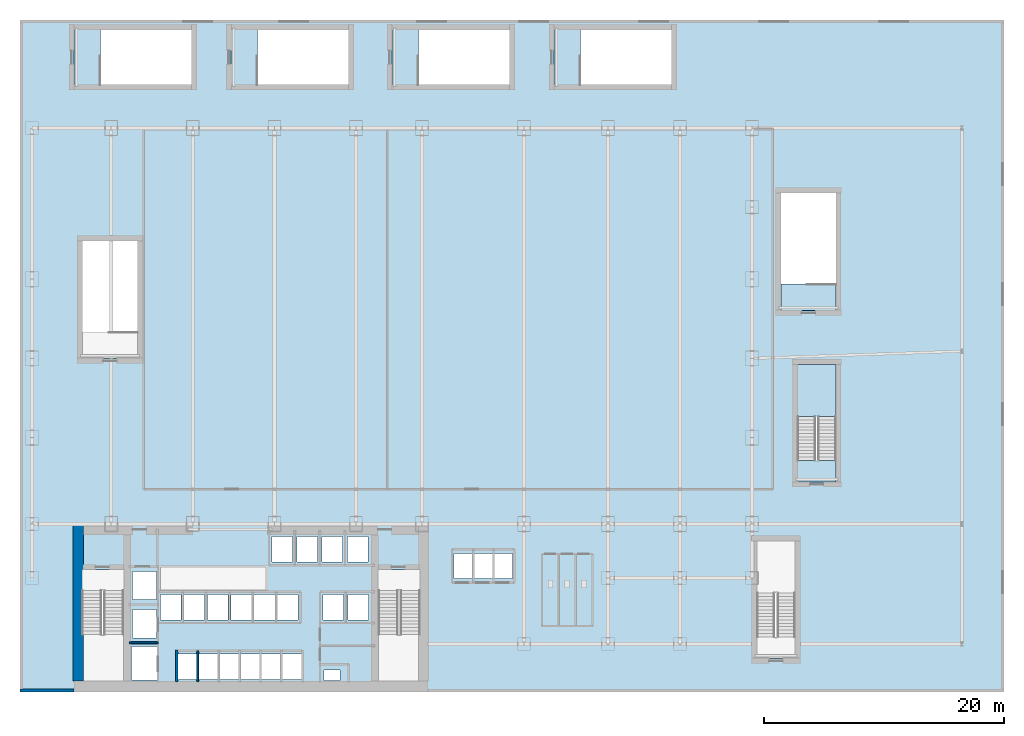
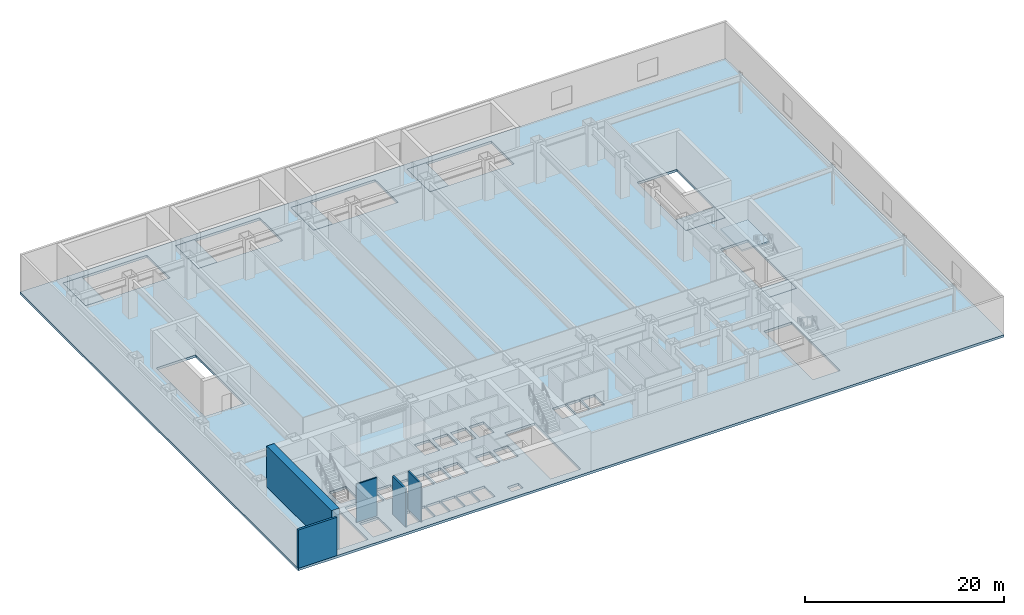
# One storey, part 5 of 14: 8 slabs, 5 walls, 1 element without a shape of its own.
"""IFC4 building model written with IfcOpenShell, lengths in metres."""

from ifc_helpers import new_model, si_unit, derived_unit, direction, frame, frame_2d, origin, place, context, subcontext, project, spatial, polyline, rectangle, outline, extrude, source, transform, mapped, material, layer, layer_set, type_object, element, aggregate, save


model = new_model("IFC4")

# Units and contexts
model_context = context("Model", 3, precision=1e-05, world=origin(), true_north=direction((0.0, 1.0)))
body_context = subcontext(model_context, "Body", "Model", "MODEL_VIEW")
ifc_project = project(units=[si_unit("LENGTHUNIT", "METRE"), si_unit("AREAUNIT", "SQUARE_METRE"), si_unit("VOLUMEUNIT", "CUBIC_METRE"), si_unit("PLANEANGLEUNIT", "RADIAN"), si_unit("MASSUNIT", "GRAM", prefix="KILO"), derived_unit("THERMALTRANSMITTANCEUNIT", [(si_unit("POWERUNIT", "WATT"), 1), (si_unit("LENGTHUNIT", "METRE"), -2), (si_unit("THERMODYNAMICTEMPERATUREUNIT", "KELVIN"), -1)])], contexts=[model_context])

# Site, building, storey
site_placement = place(None, origin())
site = spatial("IfcSite", under=ifc_project, at=site_placement, CompositionType="ELEMENT")
building_placement = place(site_placement, origin())
building = spatial("IfcBuilding", under=site, at=building_placement, Name="Skarnbrae Concourse Arena and Tower", CompositionType="ELEMENT")
storey_placement = place(building_placement, frame((0.0, 0.0, 21.0)))
storey = spatial("IfcBuildingStorey", under=building, at=storey_placement, Name="L04", CompositionType="ELEMENT", Elevation=21.0)

# Slab
ifc_material_1 = material(Name="Concrete 40 MPa (C40/50)", Category="concrete")
ifc_layer_1 = layer(ifc_material_1, 0.199951171875)
ifc_layer_set_1 = layer_set([ifc_layer_1], Name="Concrete 40 MPa (C40/50)")
slab_type_1 = type_object("IfcSlabType", Name="SLAB-LANDING-200", PredefinedType="LANDING", material=ifc_layer_set_1)
slab_1_placement = place(storey_placement, frame((0.0, 0.0, -0.199951171875)))
element("IfcSlab", 1, at=slab_1_placement, inside=storey, type_object=slab_type_1, Name="L04 Stair ST-A2 near floor landing", PredefinedType="LANDING", context=body_context, shape_type="SweptSolid", body=[
    extrude(outline(polyline([(68.0, 17.5), (68.0, 19.300048828125), (64.800048828125, 19.300048828125), (64.800048828125, 17.5), (68.0, 17.5)])), origin(), (0.0, 0.0, 1.0), 0.199951171875),
])

# Stair, slab
stair_type = type_object("IfcStairType", Name="STAIR-DOGLEG-1500", PredefinedType="HALF_TURN_STAIR", material=ifc_material_1)
stair_placement = place(storey_placement, origin())
stair = element("IfcStair", 2, at=stair_placement, inside=storey, type_object=stair_type, Name="L04 Arena Exit Stair ST-A2", PredefinedType="HALF_TURN_STAIR")
slab_2_placement = place(storey_placement, frame((0.0, 0.0, 2.300048828125)))
slab_2 = element("IfcSlab", 3, at=slab_2_placement, type_object=slab_type_1, Name="ST-A2 landing 1", PredefinedType="LANDING", context=body_context, shape_type="SweptSolid", body=[
    extrude(outline(polyline([(68.0, 22.93994140625), (68.0, 27.300048828125), (64.800048828125, 27.300048828125), (64.800048828125, 22.93994140625), (68.0, 22.93994140625)])), origin(), (0.0, 0.0, 1.0), 0.199951171875),
])
aggregate(stair, [slab_2])

# Slabs
slab_3_placement = place(storey_placement, frame((0.0, 0.0, -0.199951171875)))
element("IfcSlab", 4, at=slab_3_placement, inside=storey, type_object=slab_type_1, Name="L04 Stair ST-A4 near floor landing", PredefinedType="LANDING", context=body_context, shape_type="SweptSolid", body=[
    extrude(outline(polyline([(68.0, 31.800048828125), (68.0, 34.0), (63.39990234375, 34.0), (63.39990234375, 31.800048828125), (68.0, 31.800048828125)])), origin(), (0.0, 0.0, 1.0), 0.199951171875),
])
slab_4_placement = place(storey_placement, frame((0.0, 0.0, -0.199951171875)))
element("IfcSlab", 5, at=slab_4_placement, inside=storey, type_object=slab_type_1, Name="L04 Stair ST-A5 near floor landing", PredefinedType="LANDING", context=body_context, shape_type="SweptSolid", body=[
    extrude(outline(polyline([(4.5, 50.60009765625), (6.699951171875, 50.60009765625), (6.699951171875, 55.199951171875), (4.5, 55.199951171875), (4.5, 50.60009765625)])), origin(), (0.0, 0.0, 1.0), 0.199951171875),
])
slab_5_placement = place(storey_placement, frame((0.0, 0.0, -0.199951171875)))
element("IfcSlab", 6, at=slab_5_placement, inside=storey, type_object=slab_type_1, Name="L04 Stair ST-A6 near floor landing", PredefinedType="LANDING", context=body_context, shape_type="SweptSolid", body=[
    extrude(outline(polyline([(17.60009765625, 50.60009765625), (19.800048828125, 50.60009765625), (19.800048828125, 55.199951171875), (17.60009765625, 55.199951171875), (17.60009765625, 50.60009765625)])), origin(), (0.0, 0.0, 1.0), 0.199951171875),
])
slab_6_placement = place(storey_placement, frame((0.0, 0.0, -0.199951171875)))
element("IfcSlab", 7, at=slab_6_placement, inside=storey, type_object=slab_type_1, Name="L04 Stair ST-A7 near floor landing", PredefinedType="LANDING", context=body_context, shape_type="SweptSolid", body=[
    extrude(outline(polyline([(31.0, 50.60009765625), (33.199951171875, 50.60009765625), (33.199951171875, 55.199951171875), (31.0, 55.199951171875), (31.0, 50.60009765625)])), origin(), (0.0, 0.0, 1.0), 0.199951171875),
])
slab_7_placement = place(storey_placement, frame((0.0, 0.0, -0.199951171875)))
element("IfcSlab", 8, at=slab_7_placement, inside=storey, type_object=slab_type_1, Name="L04 Stair ST-A8 near floor landing", PredefinedType="LANDING", context=body_context, shape_type="SweptSolid", body=[
    extrude(outline(polyline([(44.5, 50.60009765625), (46.699951171875, 50.60009765625), (46.699951171875, 55.199951171875), (44.5, 55.199951171875), (44.5, 50.60009765625)])), origin(), (0.0, 0.0, 1.0), 0.199951171875),
])
ifc_layer_2 = layer(ifc_material_1, 0.300048828125)
ifc_layer_set_2 = layer_set([ifc_layer_2], Name="Concrete 40 MPa (C40/50)")
slab_type_2 = type_object("IfcSlabType", Name="SLAB-PODIUM-300", PredefinedType="FLOOR", material=ifc_layer_set_2)
slab_8_placement = place(storey_placement, frame((0.0, 0.0, -0.300048828125)))
element("IfcSlab", 9, at=slab_8_placement, inside=storey, type_object=slab_type_2, Name="L04 Structural floor slab", PredefinedType="FLOOR", context=body_context, shape_type="SweptSolid", body=[
    extrude(outline(polyline([(0.0, 0.0), (82.0, 0.0), (82.0, 56.0), (0.0, 56.0), (0.0, 0.0)]), holes=[polyline([(21.715087890625, 3.155029296875), (21.715087890625, 1.044921875), (20.10498046875, 1.044921875), (20.10498046875, 3.155029296875), (21.715087890625, 3.155029296875)]), polyline([(19.97509765625, 3.155029296875), (19.97509765625, 1.044921875), (18.364990234375, 1.044921875), (18.364990234375, 3.155029296875), (19.97509765625, 3.155029296875)]), polyline([(14.7548828125, 3.155029296875), (14.7548828125, 1.044921875), (13.14501953125, 1.044921875), (13.14501953125, 3.155029296875), (14.7548828125, 3.155029296875)]), polyline([(16.4951171875, 3.155029296875), (16.4951171875, 1.044921875), (14.885009765625, 1.044921875), (14.885009765625, 3.155029296875), (16.4951171875, 3.155029296875)]), polyline([(18.235107421875, 3.155029296875), (18.235107421875, 1.044921875), (16.625, 1.044921875), (16.625, 3.155029296875), (18.235107421875, 3.155029296875)]), polyline([(11.455078125, 3.780029296875), (11.455078125, 1.02001953125), (9.294921875, 1.02001953125), (9.294921875, 3.780029296875), (11.455078125, 3.780029296875)]), polyline([(8.64990234375, 0.89990234375), (5.14990234375, 0.89990234375), (5.14990234375, 10.199951171875), (8.64990234375, 10.199951171875), (8.64990234375, 0.89990234375)]), polyline([(11.35498046875, 6.8798828125), (11.35498046875, 4.52001953125), (9.39501953125, 4.52001953125), (9.39501953125, 6.8798828125), (11.35498046875, 6.8798828125)]), polyline([(23.179931640625, 8.10498046875), (23.179931640625, 5.9951171875), (21.469970703125, 5.9951171875), (21.469970703125, 8.10498046875), (23.179931640625, 8.10498046875)]), polyline([(21.22998046875, 8.10498046875), (21.22998046875, 5.9951171875), (19.52001953125, 5.9951171875), (19.52001953125, 8.10498046875), (21.22998046875, 8.10498046875)]), polyline([(19.280029296875, 8.10498046875), (19.280029296875, 5.9951171875), (17.570068359375, 5.9951171875), (17.570068359375, 8.10498046875), (19.280029296875, 8.10498046875)]), polyline([(17.330078125, 8.10498046875), (17.330078125, 5.9951171875), (15.6201171875, 5.9951171875), (15.6201171875, 8.10498046875), (17.330078125, 8.10498046875)]), polyline([(15.3798828125, 8.10498046875), (15.3798828125, 5.9951171875), (13.669921875, 5.9951171875), (13.669921875, 8.10498046875), (15.3798828125, 8.10498046875)]), polyline([(13.429931640625, 8.10498046875), (13.429931640625, 5.9951171875), (11.719970703125, 5.9951171875), (11.719970703125, 8.10498046875), (13.429931640625, 8.10498046875)]), polyline([(11.35498046875, 10.054931640625), (11.35498046875, 7.695068359375), (9.39501953125, 7.695068359375), (9.39501953125, 10.054931640625), (11.35498046875, 10.054931640625)]), polyline([(22.695068359375, 10.844970703125), (20.985107421875, 10.844970703125), (20.985107421875, 12.955078125), (22.695068359375, 12.955078125), (22.695068359375, 10.844970703125)]), polyline([(9.800048828125, 37.60009765625), (9.800048828125, 27.800048828125), (5.199951171875, 27.800048828125), (5.199951171875, 37.60009765625), (9.800048828125, 37.60009765625)]), polyline([(14.300048828125, 55.199951171875), (14.300048828125, 50.60009765625), (4.5, 50.60009765625), (4.5, 55.199951171875), (14.300048828125, 55.199951171875)]), polyline([(26.64990234375, 1.85009765625), (26.64990234375, 0.949951171875), (25.35009765625, 0.949951171875), (25.35009765625, 1.85009765625), (26.64990234375, 1.85009765625)]), polyline([(23.455078125, 3.155029296875), (23.455078125, 1.044921875), (21.844970703125, 1.044921875), (21.844970703125, 3.155029296875), (23.455078125, 3.155029296875)]), polyline([(33.35009765625, 0.89990234375), (29.85009765625, 0.89990234375), (29.85009765625, 10.199951171875), (33.35009765625, 10.199951171875), (33.35009765625, 0.89990234375)]), polyline([(26.945068359375, 8.10498046875), (26.945068359375, 5.9951171875), (25.235107421875, 5.9951171875), (25.235107421875, 8.10498046875), (26.945068359375, 8.10498046875)]), polyline([(29.044921875, 8.10498046875), (29.044921875, 5.9951171875), (27.3349609375, 5.9951171875), (27.3349609375, 8.10498046875), (29.044921875, 8.10498046875)]), polyline([(61.39990234375, 12.60009765625), (64.60009765625, 12.60009765625), (64.60009765625, 2.800048828125), (61.39990234375, 2.800048828125), (61.39990234375, 12.60009765625)]), polyline([(37.679931640625, 9.469970703125), (36.159912109375, 9.469970703125), (36.159912109375, 11.530029296875), (37.679931640625, 11.530029296875), (37.679931640625, 9.469970703125)]), polyline([(39.360107421875, 9.469970703125), (37.840087890625, 9.469970703125), (37.840087890625, 11.530029296875), (39.360107421875, 11.530029296875), (39.360107421875, 9.469970703125)]), polyline([(41.0400390625, 11.530029296875), (41.0400390625, 9.469970703125), (39.52001953125, 9.469970703125), (39.52001953125, 11.530029296875), (41.0400390625, 11.530029296875)]), polyline([(24.794921875, 12.955078125), (24.794921875, 10.844970703125), (23.0849609375, 10.844970703125), (23.0849609375, 12.955078125), (24.794921875, 12.955078125)]), polyline([(26.89501953125, 12.955078125), (26.89501953125, 10.844970703125), (25.18505859375, 10.844970703125), (25.18505859375, 12.955078125), (26.89501953125, 12.955078125)]), polyline([(28.9951171875, 12.955078125), (28.9951171875, 10.844970703125), (27.284912109375, 10.844970703125), (27.284912109375, 12.955078125), (28.9951171875, 12.955078125)]), polyline([(64.800048828125, 27.300048828125), (68.0, 27.300048828125), (68.0, 17.5), (64.800048828125, 17.5), (64.800048828125, 27.300048828125)]), polyline([(63.39990234375, 41.60009765625), (68.0, 41.60009765625), (68.0, 31.800048828125), (63.39990234375, 31.800048828125), (63.39990234375, 41.60009765625)]), polyline([(27.39990234375, 55.199951171875), (27.39990234375, 50.60009765625), (17.60009765625, 50.60009765625), (17.60009765625, 55.199951171875), (27.39990234375, 55.199951171875)]), polyline([(40.800048828125, 50.60009765625), (31.0, 50.60009765625), (31.0, 55.199951171875), (40.800048828125, 55.199951171875), (40.800048828125, 50.60009765625)]), polyline([(54.300048828125, 50.60009765625), (44.5, 50.60009765625), (44.5, 55.199951171875), (54.300048828125, 55.199951171875), (54.300048828125, 50.60009765625)])]), origin(), (0.0, 0.0, 1.0), 0.300048828125),
])

# Walls
ifc_material_2 = material(Name="Concrete 70 MPa (C70/85)", Category="concrete")
ifc_layer_3 = layer(ifc_material_2, 0.89990234375)
ifc_layer_set_3 = layer_set([ifc_layer_3], Name="Concrete 70 MPa (C70/85)")
wall_type_1 = type_object("IfcWallType", Name="WALL-CORE-900-C70", PredefinedType="SHEAR", material=ifc_layer_set_3)
shared_shape_1 = source(origin(), body_context, "Body", "SweptSolid", [
    extrude(rectangle(XDim=13.10009765625, YDim=0.89990234375, at=frame_2d((6.550048828125, 0.0))), origin(), (0.0, 0.0, 1.0), 5.0),
])
wall_1_placement = place(storey_placement, frame((4.85009765625, 0.89990234375, 0.0), z_axis=(0.0, 0.0, 1.0), x_axis=(0.0, 1.0, 0.0)))
element("IfcWall", 10, at=wall_1_placement, inside=storey, type_object=wall_type_1, Name="L04 Rear core shear wall CW-W", PredefinedType="SHEAR", context=body_context, shape_type="MappedRepresentation", body=[
    mapped(shared_shape_1, transform((0.0, 0.0, 0.0))),
])
ifc_material_3 = material(Name="Precast concrete 40 MPa (C40/50)", Category="concrete")
ifc_layer_4 = layer(ifc_material_3, 0.25)
ifc_layer_set_4 = layer_set([ifc_layer_4], Name="Precast concrete 40 MPa (C40/50)")
wall_type_2 = type_object("IfcWallType", Name="WALL-EXT-SPANDREL-250", PredefinedType="STANDARD", material=ifc_layer_set_4)
shared_shape_2 = source(origin(), body_context, "Body", "SweptSolid", [
    extrude(rectangle(XDim=4.5, YDim=0.25, at=frame_2d((2.25, 0.0))), origin(), (0.0, 0.0, 1.0), 4.699951171875),
])
wall_2_placement = place(storey_placement, frame((0.0, 0.125, 0.0), z_axis=(0.0, 0.0, 1.0), x_axis=(1.0, 0.0, 0.0)))
element("IfcWall", 11, at=wall_2_placement, inside=storey, type_object=wall_type_2, Name="L04 Podium exterior precast wall SW", PredefinedType="STANDARD", context=body_context, shape_type="MappedRepresentation", body=[
    mapped(shared_shape_2, transform((0.0, 0.0, 0.0))),
])
ifc_material_4 = material(Name="Gypsum board on cold-formed steel studs", Category="steel")
ifc_layer_5 = layer(ifc_material_4, 0.14990234375)
ifc_layer_set_5 = layer_set([ifc_layer_5], Name="Gypsum board on cold-formed steel studs")
wall_type_3 = type_object("IfcWallType", Name="WALL-PART-150", PredefinedType="PARTITIONING", material=ifc_layer_set_5)
shared_shape_3 = source(origin(), body_context, "Body", "SweptSolid", [
    extrude(rectangle(XDim=2.39990234375, YDim=0.14990234375, at=frame_2d((1.199951171875, 0.0))), origin(), (0.0, 0.0, 1.0), 4.699951171875),
])
wall_3_placement = place(storey_placement, frame((9.10009765625, 4.10009765625, 0.0), z_axis=(0.0, 0.0, 1.0), x_axis=(1.0, 0.0, 0.0)))
element("IfcWall", 12, at=wall_3_placement, inside=storey, type_object=wall_type_3, Name="L04 Interior partition wall W-L04-FL-D1", PredefinedType="PARTITIONING", context=body_context, shape_type="MappedRepresentation", body=[
    mapped(shared_shape_3, transform((0.0, 0.0, 0.0))),
])
ifc_layer_6 = layer(ifc_material_4, 0.199951171875)
ifc_layer_set_6 = layer_set([ifc_layer_6], Name="Gypsum board on cold-formed steel studs")
wall_type_4 = type_object("IfcWallType", Name="WALL-PART-200-2HR", PredefinedType="PARTITIONING", material=ifc_layer_set_6)
shared_shape_4 = source(origin(), body_context, "Body", "SweptSolid", [
    extrude(rectangle(XDim=2.64990234375, YDim=0.199951171875, at=frame_2d((1.324951171875, 0.0))), origin(), (0.0, 0.0, 1.0), 4.699951171875),
])
wall_4_placement = place(storey_placement, frame((13.050048828125, 0.85009765625, 0.0), z_axis=(0.0, 0.0, 1.0), x_axis=(0.0, 1.0, 0.0)))
element("IfcWall", 13, at=wall_4_placement, inside=storey, type_object=wall_type_4, Name="L04 Interior partition wall W-L04-B1-W", PredefinedType="PARTITIONING", context=body_context, shape_type="MappedRepresentation", body=[
    mapped(shared_shape_4, transform((0.0, 0.0, 0.0))),
])
shared_shape_5 = source(origin(), body_context, "Body", "SweptSolid", [
    extrude(rectangle(XDim=2.599853515625, YDim=0.14990234375, at=frame_2d((1.2998046875, 0.0))), origin(), (0.0, 0.0, 1.0), 4.699951171875),
])
wall_5_placement = place(storey_placement, frame((14.820068359375, 0.85009765625, 0.0), z_axis=(0.0, 0.0, 1.0), x_axis=(0.0, 1.0, 0.0)))
element("IfcWall", 14, at=wall_5_placement, inside=storey, type_object=wall_type_3, Name="L04 Interior partition wall W-L04-B1-P1", PredefinedType="PARTITIONING", context=body_context, shape_type="MappedRepresentation", body=[
    mapped(shared_shape_5, transform((0.0, 0.0, 0.0))),
])

save(model, "model.ifc")
